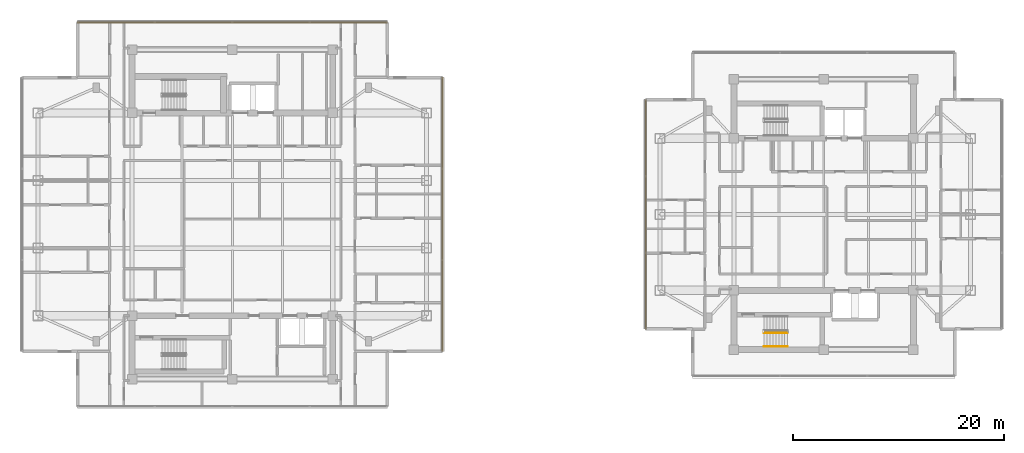
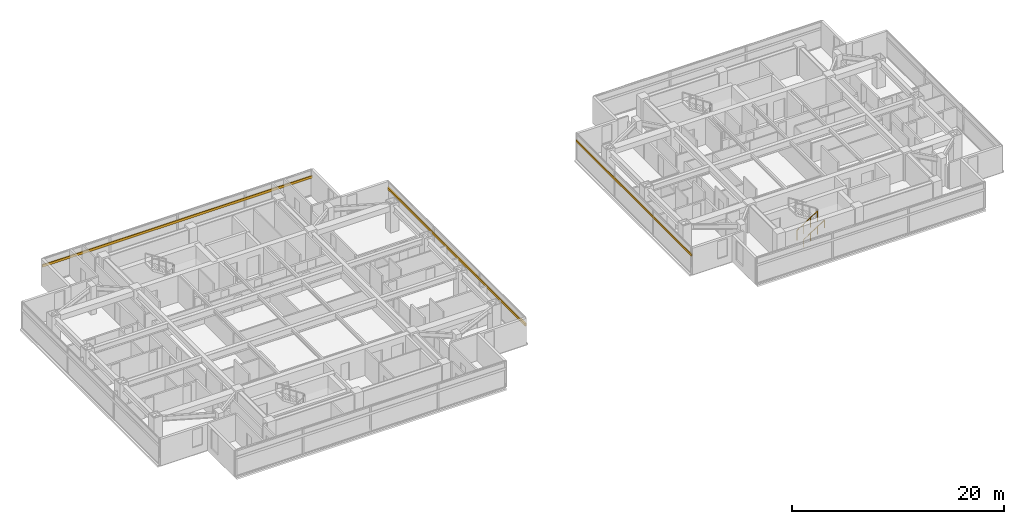
# One storey, part 21 of 24: 3 shading devices, 2 railings.
"""IFC4 building model written with IfcOpenShell, lengths in metres."""

from ifc_helpers import new_model, si_unit, direction, frame, origin, origin_2d, place, context, subcontext, project, spatial, rectangle, circle, extrude, material, material_profile, profile_set, type_object, element, save


model = new_model("IFC4")

# Units and contexts
model_context = context("Model", 3, precision=1e-05, world=origin(), true_north=direction((0.0, 1.0)))
body_context = subcontext(model_context, "Body", "Model", "MODEL_VIEW")
ifc_project = project(units=[si_unit("LENGTHUNIT", "METRE"), si_unit("AREAUNIT", "SQUARE_METRE"), si_unit("VOLUMEUNIT", "CUBIC_METRE"), si_unit("PLANEANGLEUNIT", "RADIAN"), si_unit("MASSUNIT", "GRAM", prefix="KILO")], contexts=[model_context])

# Site, building, storey
site_placement = place(None, origin())
site = spatial("IfcSite", under=ifc_project, at=site_placement, CompositionType="ELEMENT")
building_placement = place(site_placement, origin())
building = spatial("IfcBuilding", under=site, at=building_placement, Name="Mirazonda Arch Towers", CompositionType="ELEMENT")
storey_placement = place(building_placement, frame((0.0, 0.0, 190.14990234375)))
storey = spatial("IfcBuildingStorey", under=building, at=storey_placement, Name="L54", CompositionType="ELEMENT", Elevation=190.14990234375)

# Shading devices
ifc_material_1 = material(Name="Kiln-Fired Architectural Terracotta", Category="masonry")
ifc_material_profile_1 = material_profile(ifc_material_1, rectangle(XDim=0.1201171875, YDim=0.239990234375, at=origin_2d()), Name="TERRA-BAG-120x240")
ifc_profile_set_1 = profile_set([ifc_material_profile_1], Name="Kiln-Fired Architectural Terracotta")
shading_device_type_1 = type_object("IfcShadingDeviceType", Name="BAGUETTE-1", PredefinedType="USERDEFINED", material=ifc_profile_set_1)
shading_device_1_placement = place(storey_placement, frame((59.646484375, 38.865478515625, 2.181640625), z_axis=(0.0, -1.0, 0.0), x_axis=(1.0, 0.0, 0.0)))
element("IfcShadingDevice", 1, at=shading_device_1_placement, inside=storey, type_object=shading_device_type_1, Name="L54 Glazed Terracotta Sun-Screen Baguette CW-L54-T2-W", ObjectType="BAGUETTE", PredefinedType="USERDEFINED", context=body_context, shape_type="SweptSolid", body=[
    extrude(rectangle(XDim=0.1201171875, YDim=0.239990234375, at=origin_2d()), origin(), (0.0, 0.0, 1.0), 21.73095703125),
])
ifc_material_profile_2 = material_profile(ifc_material_1, rectangle(XDim=0.139892578125, YDim=0.280029296875, at=origin_2d()), Name="TERRA-BAG-140x280")
ifc_profile_set_2 = profile_set([ifc_material_profile_2], Name="Kiln-Fired Architectural Terracotta")
shading_device_type_2 = type_object("IfcShadingDeviceType", Name="BAGUETTE-3", PredefinedType="USERDEFINED", material=ifc_profile_set_2)
shading_device_2_placement = place(storey_placement, frame((40.389892578125, 15.029052734375, 2.181640625), z_axis=(0.0, 1.0, 0.0), x_axis=(-1.0, 0.0, 0.0)))
element("IfcShadingDevice", 2, at=shading_device_2_placement, inside=storey, type_object=shading_device_type_2, Name="L54 Glazed Terracotta Sun-Screen Baguette CW-L54-T1-E", ObjectType="BAGUETTE", PredefinedType="USERDEFINED", context=body_context, shape_type="SweptSolid", body=[
    extrude(rectangle(XDim=0.139892578125, YDim=0.280029296875, at=origin_2d()), origin(), (0.0, 0.0, 1.0), 25.94189453125),
])
shading_device_3_placement = place(storey_placement, frame((5.824951171875, 46.18603515625, 2.181640625), z_axis=(1.0, 0.0, 0.0), x_axis=(0.0, 1.0, 0.0)))
element("IfcShadingDevice", 3, at=shading_device_3_placement, inside=storey, type_object=shading_device_type_2, Name="L54 Glazed Terracotta Sun-Screen Baguette CW-L54-T1-N", ObjectType="BAGUETTE", PredefinedType="USERDEFINED", context=body_context, shape_type="SweptSolid", body=[
    extrude(rectangle(XDim=0.139892578125, YDim=0.280029296875, at=origin_2d()), origin(), (0.0, 0.0, 1.0), 29.35009765625),
])

# Railings
ifc_material_2 = material(Name="Architectural Brushed Steel S355", Category="steel")
railing_type_1 = type_object("IfcRailingType", Name="GUARD-STAIR-1120", PredefinedType="GUARDRAIL", material=ifc_material_2)
railing_1_placement = place(storey_placement, frame((70.85009765625, 16.77001953125, 0.1806640625)))
element("IfcRailing", 4, at=railing_1_placement, inside=storey, type_object=railing_type_1, Name="L54 ST-T2S stair guard 1", PredefinedType="GUARDRAIL", context=body_context, shape_type="SweptSolid", body=[
    extrude(circle(Radius=0.02392578125, at=origin_2d()), frame((0.0, 0.0, 1.1259765625), z_axis=(0.840436612492, 0.0, 0.541909863706), x_axis=(0.0, 1.0, 0.0)), (0.0, 0.0, 1.0), 2.665283203125),
    extrude(circle(Radius=0.02099609375, at=origin_2d()), origin(), (0.0, 0.0, 1.0), 1.101806640625),
    extrude(circle(Radius=0.02099609375, at=origin_2d()), frame((0.74658203125, 0.0, 0.4814453125)), (0.0, 0.0, 1.0), 1.101806640625),
    extrude(circle(Radius=0.02099609375, at=origin_2d()), frame((1.493408203125, 0.0, 0.962890625)), (0.0, 0.0, 1.0), 1.101806640625),
    extrude(circle(Radius=0.02099609375, at=origin_2d()), frame((2.239990234375, 0.0, 1.4443359375)), (0.0, 0.0, 1.0), 1.101806640625),
])
railing_type_2 = type_object("IfcRailingType", Name="HANDRAIL-915", PredefinedType="HANDRAIL", material=ifc_material_2)
railing_2_placement = place(storey_placement, frame((70.85009765625, 15.469970703125, 0.1806640625)))
element("IfcRailing", 5, at=railing_2_placement, inside=storey, type_object=railing_type_2, Name="L54 ST-T2S stair handrail 1", PredefinedType="HANDRAIL", context=body_context, shape_type="SweptSolid", body=[
    extrude(circle(Radius=0.02392578125, at=origin_2d()), frame((0.0, 0.0, 0.8759765625), z_axis=(0.840436612492, 0.0, 0.541909863706), x_axis=(0.0, 1.0, 0.0)), (0.0, 0.0, 1.0), 2.665283203125),
    extrude(circle(Radius=0.02099609375, at=origin_2d()), origin(), (0.0, 0.0, 1.0), 0.851806640625),
    extrude(circle(Radius=0.02099609375, at=origin_2d()), frame((0.74658203125, 0.0, 0.4814453125)), (0.0, 0.0, 1.0), 0.851806640625),
    extrude(circle(Radius=0.02099609375, at=origin_2d()), frame((1.493408203125, 0.0, 0.962890625)), (0.0, 0.0, 1.0), 0.851806640625),
    extrude(circle(Radius=0.02099609375, at=origin_2d()), frame((2.239990234375, 0.0, 1.4443359375)), (0.0, 0.0, 1.0), 0.851806640625),
])

save(model, "model.ifc")
